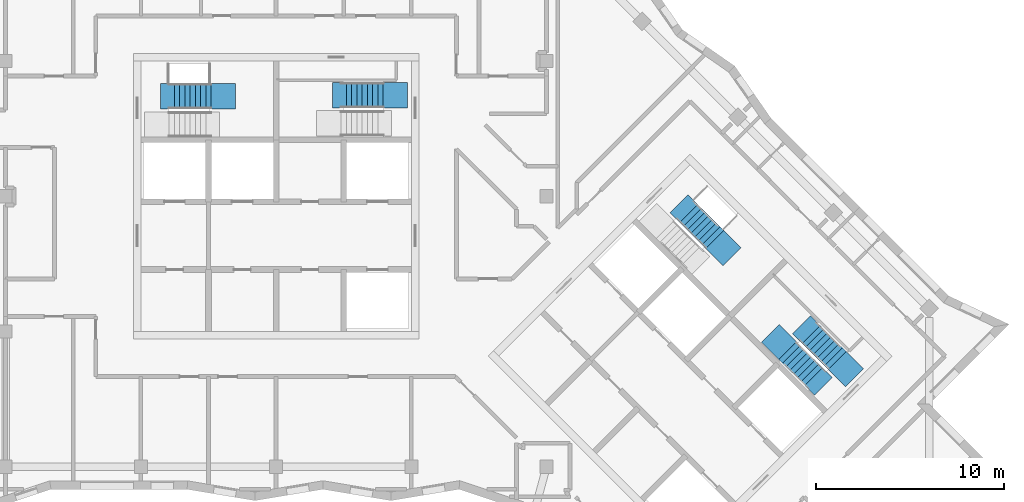
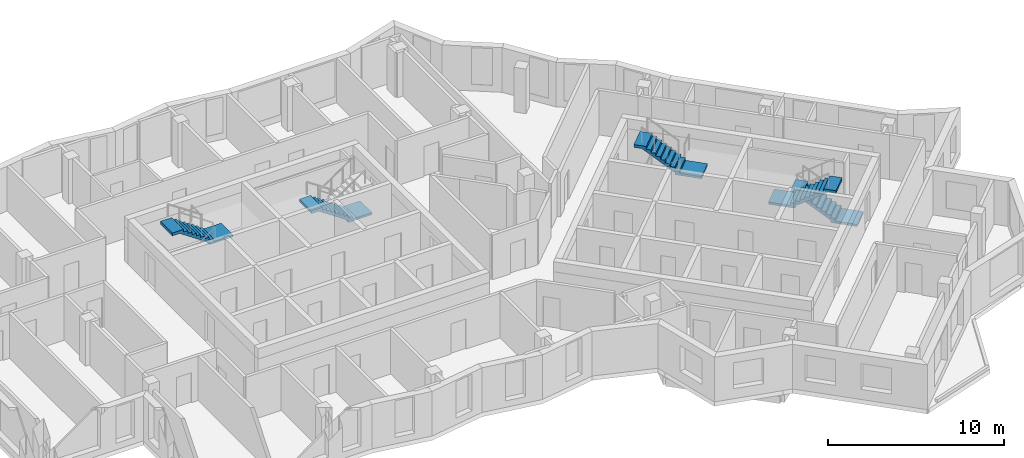
# One storey, part 9 of 12: 5 stair flights, 4 elements without a shape of their own.
"""IFC4 building model written with IfcOpenShell, lengths in metres."""

from ifc_helpers import new_model, si_unit, direction, frame, origin, place, context, subcontext, project, spatial, polyline, outline, extrude, material, type_object, element, aggregate, save


model = new_model("IFC4")

# Units and contexts
model_context = context("Model", 3, precision=1e-05, world=origin(), true_north=direction((0.0, 1.0)))
body_context = subcontext(model_context, "Body", "Model", "MODEL_VIEW")
ifc_project = project(units=[si_unit("LENGTHUNIT", "METRE"), si_unit("AREAUNIT", "SQUARE_METRE"), si_unit("VOLUMEUNIT", "CUBIC_METRE"), si_unit("PLANEANGLEUNIT", "RADIAN"), si_unit("MASSUNIT", "GRAM", prefix="KILO")], contexts=[model_context])

# Site, building, storey
site_placement = place(None, origin())
site = spatial("IfcSite", under=ifc_project, at=site_placement, CompositionType="ELEMENT")
building_placement = place(site_placement, origin())
building = spatial("IfcBuilding", under=site, at=building_placement, Name="Windrow Commons", CompositionType="ELEMENT")
storey_placement = place(building_placement, frame((0.0, 0.0, 277.8)))
storey = spatial("IfcBuildingStorey", under=building, at=storey_placement, Name="L76", CompositionType="ELEMENT", Elevation=277.8)

# Stair, stair flight
ifc_material_1 = material(Name="Concrete C40/50", Category="concrete")
stair_type = type_object("IfcStairType", Name="Core stair", PredefinedType="HALF_TURN_STAIR", material=ifc_material_1)
placement = place(storey_placement, origin())
stair_1 = element("IfcStair", 1, at=placement, inside=storey, type_object=stair_type, Name="L76 Exit stair A1 core A", PredefinedType="HALF_TURN_STAIR")
ifc_material_2 = material(Name="Concrete C40/50", Category="concrete")
stair_flight_type = type_object("IfcStairFlightType", Name="Core stair flight", PredefinedType="STRAIGHT", material=ifc_material_2)
stair_flight_1_placement = place(storey_placement, frame((61.34, 62.925, 1.7), z_axis=(0.0, 0.0, 1.0), x_axis=(-1.0, 0.0, 0.0)))
stair_flight_1 = element("IfcStairFlight", 2, at=stair_flight_1_placement, type_object=stair_flight_type, Name="ST-A1 flight 2", NumberOfRisers=9, NumberOfTreads=8, PredefinedType="STRAIGHT", RiserHeight=0.188888889, TreadLength=0.28, context=body_context, shape_type="SweptSolid", body=[
    extrude(outline(polyline([(-1.3, -0.15), (-1.3, 0.0), (0.0, 0.0), (0.0, 0.1889), (0.28, 0.1889), (0.28, 0.3778), (0.56, 0.3778), (0.56, 0.5667), (0.84, 0.5667), (0.84, 0.7556), (1.12, 0.7556), (1.12, 0.9444), (1.4, 0.9444), (1.4, 1.1333), (1.68, 1.1333), (1.68, 1.3222), (1.96, 1.3222), (1.96, 1.5111), (2.24, 1.5111), (2.69, 1.5111), (2.69, 1.3111), (2.24, 1.3111), (2.24, 1.3302), (0.2682, 0.0), (0.2682, -0.15), (-1.3, -0.15)])), frame((0.0, 0.675, 0.0), z_axis=(0.0, -1.0, 0.0), x_axis=(1.0, 0.0, 0.0)), (0.0, 0.0, 1.0), 1.35),
])
aggregate(stair_1, [stair_flight_1])

stair_2 = element("IfcStair", 3, at=placement, inside=storey, type_object=stair_type, Name="L76 Exit stair A2 core A", PredefinedType="HALF_TURN_STAIR")
stair_flight_2_placement = place(storey_placement, frame((70.5, 62.98, 0.0), z_axis=(0.0, 0.0, 1.0), x_axis=(-1.0, 0.0, 0.0)))
stair_flight_2 = element("IfcStairFlight", 4, at=stair_flight_2_placement, type_object=stair_flight_type, Name="ST-A2 flight 1", NumberOfRisers=9, NumberOfTreads=8, PredefinedType="STRAIGHT", RiserHeight=0.188888889, TreadLength=0.28, context=body_context, shape_type="SweptSolid", body=[
    extrude(outline(polyline([(-1.3, -0.15), (-1.3, 0.0), (0.0, 0.0), (0.0, 0.1889), (0.28, 0.1889), (0.28, 0.3778), (0.56, 0.3778), (0.56, 0.5667), (0.84, 0.5667), (0.84, 0.7556), (1.12, 0.7556), (1.12, 0.9444), (1.4, 0.9444), (1.4, 1.1333), (1.68, 1.1333), (1.68, 1.3222), (1.96, 1.3222), (1.96, 1.5111), (2.24, 1.5111), (2.69, 1.5111), (2.69, 1.3111), (2.24, 1.3111), (2.24, 1.3302), (0.2682, 0.0), (0.2682, -0.15), (-1.3, -0.15)])), frame((0.0, 0.675, 0.0), z_axis=(0.0, -1.0, 0.0), x_axis=(1.0, 0.0, 0.0)), (0.0, 0.0, 1.0), 1.35),
])
aggregate(stair_2, [stair_flight_2])

stair_3 = element("IfcStair", 5, at=placement, inside=storey, type_object=stair_type, Name="L76 Exit stair B1 core B", PredefinedType="HALF_TURN_STAIR")
stair_flight_3_placement = place(storey_placement, frame((88.1555, 55.3017, 1.7), z_axis=(0.0, 0.0, 1.0), x_axis=(-0.7071067812, 0.7071067812, 0.0)))
stair_flight_3 = element("IfcStairFlight", 6, at=stair_flight_3_placement, type_object=stair_flight_type, Name="ST-B1 flight 2", NumberOfRisers=9, NumberOfTreads=8, PredefinedType="STRAIGHT", RiserHeight=0.188888889, TreadLength=0.28, context=body_context, shape_type="SweptSolid", body=[
    extrude(outline(polyline([(-1.3, -0.15), (-1.3, 0.0), (0.0, 0.0), (0.0, 0.1889), (0.28, 0.1889), (0.28, 0.3778), (0.56, 0.3778), (0.56, 0.5667), (0.84, 0.5667), (0.84, 0.7556), (1.12, 0.7556), (1.12, 0.9444), (1.4, 0.9444), (1.4, 1.1333), (1.68, 1.1333), (1.68, 1.3222), (1.96, 1.3222), (1.96, 1.5111), (2.24, 1.5111), (2.69, 1.5111), (2.69, 1.3111), (2.24, 1.3111), (2.24, 1.3302), (0.2682, 0.0), (0.2682, -0.15), (-1.3, -0.15)])), frame((0.0, 0.675, 0.0), z_axis=(0.0, -1.0, 0.0), x_axis=(1.0, 0.0, 0.0)), (0.0, 0.0, 1.0), 1.35),
])
aggregate(stair_3, [stair_flight_3])

# Stair, stair flights
stair_4 = element("IfcStair", 7, at=placement, inside=storey, type_object=stair_type, Name="L76 Exit stair B2 core B", PredefinedType="HALF_TURN_STAIR")
stair_flight_4_placement = place(storey_placement, frame((94.6715, 48.8635, 0.0), z_axis=(0.0, 0.0, 1.0), x_axis=(-0.7071067812, 0.7071067812, 0.0)))
stair_flight_4 = element("IfcStairFlight", 8, at=stair_flight_4_placement, type_object=stair_flight_type, Name="ST-B2 flight 1", NumberOfRisers=9, NumberOfTreads=8, PredefinedType="STRAIGHT", RiserHeight=0.188888889, TreadLength=0.28, context=body_context, shape_type="SweptSolid", body=[
    extrude(outline(polyline([(-1.3, -0.15), (-1.3, 0.0), (0.0, 0.0), (0.0, 0.1889), (0.28, 0.1889), (0.28, 0.3778), (0.56, 0.3778), (0.56, 0.5667), (0.84, 0.5667), (0.84, 0.7556), (1.12, 0.7556), (1.12, 0.9444), (1.4, 0.9444), (1.4, 1.1333), (1.68, 1.1333), (1.68, 1.3222), (1.96, 1.3222), (1.96, 1.5111), (2.24, 1.5111), (2.69, 1.5111), (2.69, 1.3111), (2.24, 1.3111), (2.24, 1.3302), (0.2682, 0.0), (0.2682, -0.15), (-1.3, -0.15)])), frame((0.0, 0.675, 0.0), z_axis=(0.0, -1.0, 0.0), x_axis=(1.0, 0.0, 0.0)), (0.0, 0.0, 1.0), 1.35),
])
stair_flight_5_placement = place(storey_placement, frame((92.0269, 49.3867, 1.7), z_axis=(0.0, 0.0, 1.0), x_axis=(0.7071067812, -0.7071067812, 0.0)))
stair_flight_5 = element("IfcStairFlight", 9, at=stair_flight_5_placement, type_object=stair_flight_type, Name="ST-B2 flight 2", NumberOfRisers=9, NumberOfTreads=8, PredefinedType="STRAIGHT", RiserHeight=0.188888889, TreadLength=0.28, context=body_context, shape_type="SweptSolid", body=[
    extrude(outline(polyline([(-1.3, -0.15), (-1.3, 0.0), (0.0, 0.0), (0.0, 0.1889), (0.28, 0.1889), (0.28, 0.3778), (0.56, 0.3778), (0.56, 0.5667), (0.84, 0.5667), (0.84, 0.7556), (1.12, 0.7556), (1.12, 0.9444), (1.4, 0.9444), (1.4, 1.1333), (1.68, 1.1333), (1.68, 1.3222), (1.96, 1.3222), (1.96, 1.5111), (2.24, 1.5111), (2.69, 1.5111), (2.69, 1.3111), (2.24, 1.3111), (2.24, 1.3302), (0.2682, 0.0), (0.2682, -0.15), (-1.3, -0.15)])), frame((0.0, 0.675, 0.0), z_axis=(0.0, -1.0, 0.0), x_axis=(1.0, 0.0, 0.0)), (0.0, 0.0, 1.0), 1.35),
])
aggregate(stair_4, [stair_flight_4, stair_flight_5])

save(model, "model.ifc")
